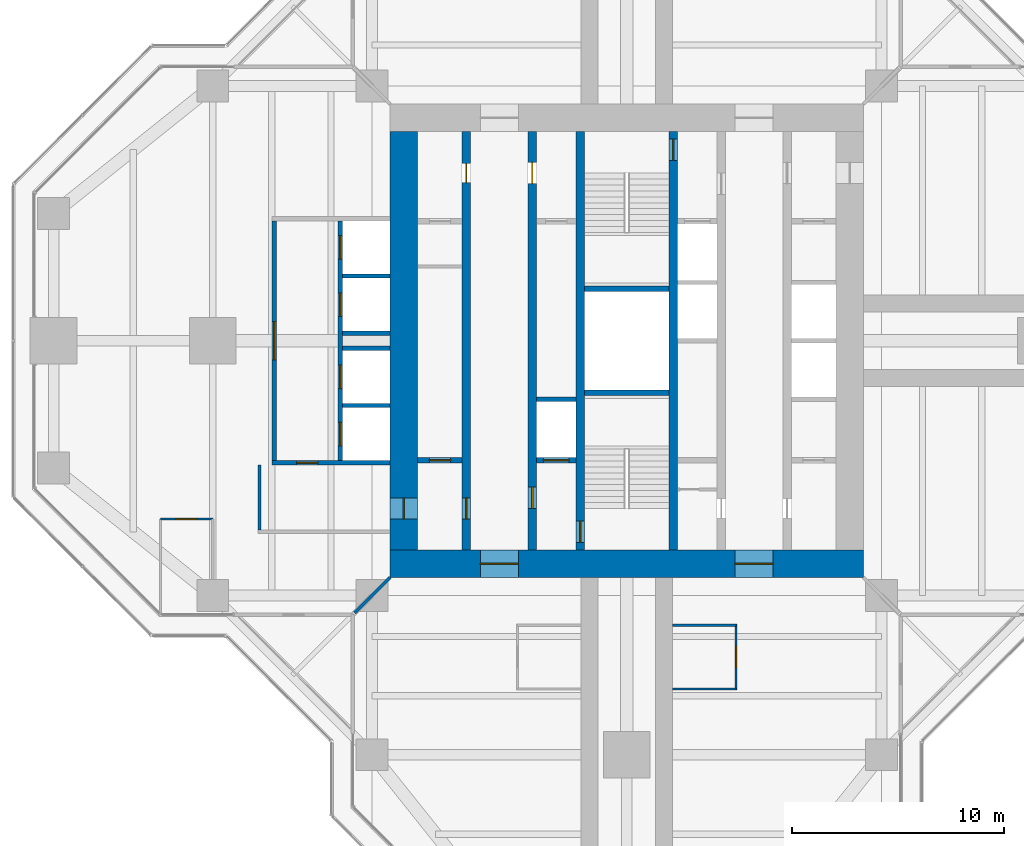
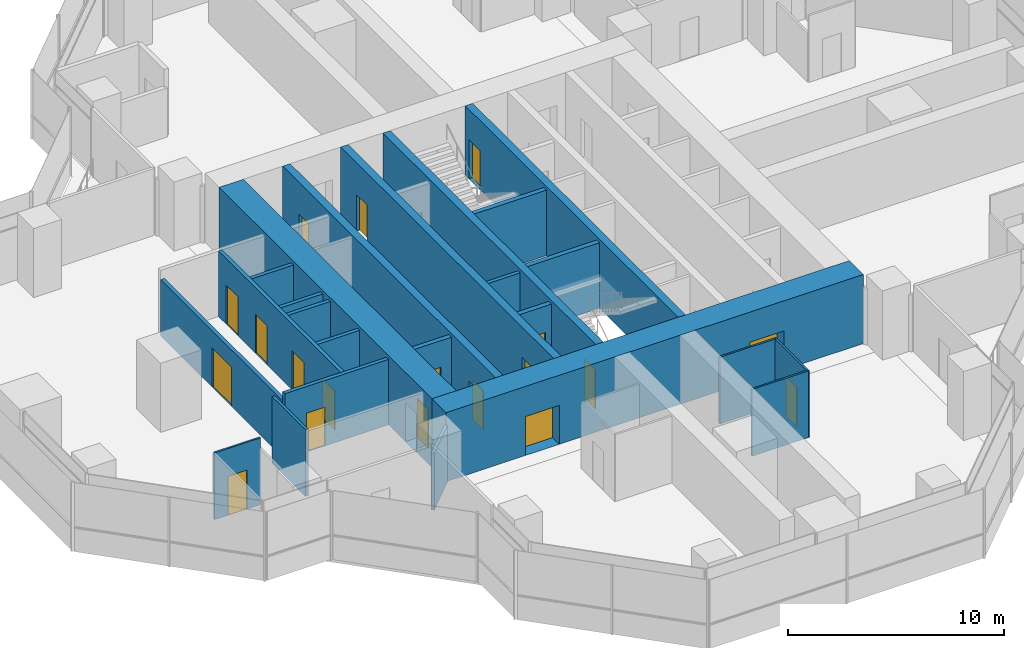
# One storey, part 13 of 17: 24 walls, 19 doors, 19 openings.
"""IFC4 building model written with IfcOpenShell, lengths in metres."""

from ifc_helpers import new_model, si_unit, direction, frame, frame_2d, origin, place, context, subcontext, project, spatial, rectangle, extrude, material, layer, layer_set, type_object, element, fill, save


model = new_model("IFC4")

# Units and contexts
model_context = context("Model", 3, precision=1e-05, world=origin(), true_north=direction((0.0, 1.0)))
body_context = subcontext(model_context, "Body", "Model", "MODEL_VIEW")
ifc_project = project(units=[si_unit("LENGTHUNIT", "METRE"), si_unit("AREAUNIT", "SQUARE_METRE"), si_unit("VOLUMEUNIT", "CUBIC_METRE"), si_unit("PLANEANGLEUNIT", "RADIAN"), si_unit("MASSUNIT", "GRAM", prefix="KILO")], contexts=[model_context])

# Site, building, storey
site_placement = place(None, origin())
site = spatial("IfcSite", under=ifc_project, at=site_placement, CompositionType="ELEMENT")
building_placement = place(site_placement, origin())
building = spatial("IfcBuilding", under=site, at=building_placement, Name="Mizan Broadcast Tower", CompositionType="ELEMENT")
storey_placement = place(building_placement, frame((0.0, 0.0, 251.699951171875)))
storey = spatial("IfcBuildingStorey", under=building, at=storey_placement, Name="L59", CompositionType="ELEMENT", Elevation=251.699951171875)

# Wall, openings, doors
ifc_material_1 = material(Name="Concrete C70/85", Category="concrete")
ifc_layer_1 = layer(ifc_material_1, 0.39990234375)
ifc_layer_set_1 = layer_set([ifc_layer_1], Name="Concrete C70/85")
wall_type_1 = type_object("IfcWallType", Name="CORE INTERNAL WALL 400", PredefinedType="SHEAR", material=ifc_layer_set_1)
wall_1_placement = place(storey_placement, frame((-7.550048828125, -9.85009765625, 0.0), z_axis=(0.0, 0.0, 1.0), x_axis=(0.0, 1.0, 0.0)))
wall_1 = element("IfcWall", 1, at=wall_1_placement, inside=storey, type_object=wall_type_1, Name="Core wall CORE/XW1", PredefinedType="SHEAR", context=body_context, shape_type="SweptSolid", body=[
    extrude(rectangle(XDim=19.7001953125, YDim=0.39990234375, at=frame_2d((9.85009765625, 0.0))), origin(), (0.0, 0.0, 1.0), 3.900146484375),
])
opening_1_placement = place(wall_1_placement, frame((1.449951171875, 0.0, 0.0)))
opening_1 = element("IfcOpeningElement", 2, at=opening_1_placement, cuts=wall_1, Name="Opening D10F", PredefinedType="OPENING", context=body_context, shape_type="SweptSolid", body=[
    extrude(rectangle(XDim=1.0, YDim=2.199951171875, at=frame_2d((0.5, 1.10009765625))), frame((0.0, 0.2099609375, 0.0), z_axis=(0.0, -1.0, 0.0), x_axis=(1.0, 0.0, 0.0)), (0.0, 0.0, 1.0), 0.419921875),
])
opening_2_placement = place(wall_1_placement, frame((17.300048828125, 0.0, 0.0)))
opening_2 = element("IfcOpeningElement", 3, at=opening_2_placement, cuts=wall_1, Name="Opening D09", PredefinedType="OPENING", context=body_context, shape_type="SweptSolid", body=[
    extrude(rectangle(XDim=0.89990234375, YDim=2.10009765625, at=frame_2d((0.449951171875, 1.050048828125))), frame((0.0, 0.2099609375, 0.0), z_axis=(0.0, -1.0, 0.0), x_axis=(1.0, 0.0, 0.0)), (0.0, 0.0, 1.0), 0.419921875),
])
ifc_material_2 = material(Name="Steel door leaf in steel frame", Category="steel")
door_type_1 = type_object("IfcDoorType", Name="FIRE DOOR 1000 FD90", OperationType="SINGLE_SWING_LEFT", PredefinedType="DOOR", material=ifc_material_2)
door_1_placement = place(opening_1_placement, origin())
door_1 = element("IfcDoor", 4, at=door_1_placement, inside=storey, type_object=door_type_1, Name="West core passage door", OperationType="SINGLE_SWING_LEFT", OverallHeight=2.199951171875, OverallWidth=1.0, PredefinedType="DOOR", context=body_context, shape_type="SweptSolid", body=[
    extrude(rectangle(XDim=1.0, YDim=2.199951171875, at=frame_2d((0.5, 1.10009765625))), frame((0.0, 0.02490234375, 0.0), z_axis=(0.0, -1.0, 0.0), x_axis=(1.0, 0.0, 0.0)), (0.0, 0.0, 1.0), 0.050048828125),
])
fill(opening_1, door_1)
ifc_material_3 = material(Name="Timber door leaf in aluminium frame", Category="wood")
door_type_2 = type_object("IfcDoorType", Name="TOILET DOOR 900", OperationType="SINGLE_SWING_LEFT", PredefinedType="DOOR", material=ifc_material_3)
door_2_placement = place(opening_2_placement, origin())
door_2 = element("IfcDoor", 5, at=door_2_placement, inside=storey, type_object=door_type_2, Name="Male WC door", OperationType="SINGLE_SWING_RIGHT", OverallHeight=2.10009765625, OverallWidth=0.89990234375, PredefinedType="DOOR", context=body_context, shape_type="SweptSolid", body=[
    extrude(rectangle(XDim=0.89990234375, YDim=2.10009765625, at=frame_2d((0.449951171875, 1.050048828125))), frame((0.0, 0.02490234375, 0.0), z_axis=(0.0, -1.0, 0.0), x_axis=(1.0, 0.0, 0.0)), (0.0, 0.0, 1.0), 0.050048828125),
])
fill(opening_2, door_2)

wall_2_placement = place(storey_placement, frame((-4.449951171875, -9.85009765625, 0.0), z_axis=(0.0, 0.0, 1.0), x_axis=(0.0, 1.0, 0.0)))
wall_2 = element("IfcWall", 6, at=wall_2_placement, inside=storey, type_object=wall_type_1, Name="Core wall CORE/XWH", PredefinedType="SHEAR", context=body_context, shape_type="SweptSolid", body=[
    extrude(rectangle(XDim=19.7001953125, YDim=0.39990234375, at=frame_2d((9.85009765625, 0.0))), origin(), (0.0, 0.0, 1.0), 3.900146484375),
])
opening_3_placement = place(wall_2_placement, frame((1.949951171875, 0.0, 0.0)))
opening_3 = element("IfcOpeningElement", 7, at=opening_3_placement, cuts=wall_2, Name="Opening D10F", PredefinedType="OPENING", context=body_context, shape_type="SweptSolid", body=[
    extrude(rectangle(XDim=1.0, YDim=2.199951171875, at=frame_2d((0.5, 1.10009765625))), frame((0.0, 0.2099609375, 0.0), z_axis=(0.0, -1.0, 0.0), x_axis=(1.0, 0.0, 0.0)), (0.0, 0.0, 1.0), 0.419921875),
])
opening_4_placement = place(wall_2_placement, frame((17.25, 0.0, 0.0)))
opening_4 = element("IfcOpeningElement", 8, at=opening_4_placement, cuts=wall_2, Name="Opening D10A", PredefinedType="OPENING", context=body_context, shape_type="SweptSolid", body=[
    extrude(rectangle(XDim=1.0, YDim=2.10009765625, at=frame_2d((0.5, 1.050048828125))), frame((0.0, 0.2099609375, 0.0), z_axis=(0.0, -1.0, 0.0), x_axis=(1.0, 0.0, 0.0)), (0.0, 0.0, 1.0), 0.419921875),
])
ifc_material_4 = material(Name="Timber door leaf in aluminium frame", Category="wood")
door_type_3 = type_object("IfcDoorType", Name="ACCESSIBLE WC DOOR 1000", OperationType="SLIDING_TO_LEFT", PredefinedType="DOOR", material=ifc_material_4)
door_3_placement = place(opening_4_placement, origin())
door_3 = element("IfcDoor", 9, at=door_3_placement, inside=storey, type_object=door_type_3, Name="Accessible WC door", OperationType="SLIDING_TO_LEFT", OverallHeight=2.10009765625, OverallWidth=1.0, PredefinedType="DOOR", context=body_context, shape_type="SweptSolid", body=[
    extrude(rectangle(XDim=1.0, YDim=2.10009765625, at=frame_2d((0.5, 1.050048828125))), frame((0.0, 0.02490234375, 0.0), z_axis=(0.0, -1.0, 0.0), x_axis=(1.0, 0.0, 0.0)), (0.0, 0.0, 1.0), 0.050048828125),
])
fill(opening_4, door_3)
door_4_placement = place(opening_3_placement, origin())
door_4 = element("IfcDoor", 10, at=door_4_placement, inside=storey, type_object=door_type_1, Name="Firefighting lobby A door", OperationType="SINGLE_SWING_LEFT", OverallHeight=2.199951171875, OverallWidth=1.0, PredefinedType="DOOR", context=body_context, shape_type="SweptSolid", body=[
    extrude(rectangle(XDim=1.0, YDim=2.199951171875, at=frame_2d((0.5, 1.10009765625))), frame((0.0, 0.02490234375, 0.0), z_axis=(0.0, -1.0, 0.0), x_axis=(1.0, 0.0, 0.0)), (0.0, 0.0, 1.0), 0.050048828125),
])
fill(opening_3, door_4)

# Wall, opening, door
wall_3_placement = place(storey_placement, frame((-2.199951171875, -9.85009765625, 0.0), z_axis=(0.0, 0.0, 1.0), x_axis=(0.0, 1.0, 0.0)))
wall_3 = element("IfcWall", 11, at=wall_3_placement, inside=storey, type_object=wall_type_1, Name="Core wall CORE/XW2", PredefinedType="SHEAR", context=body_context, shape_type="SweptSolid", body=[
    extrude(rectangle(XDim=19.7001953125, YDim=0.39990234375, at=frame_2d((9.85009765625, 0.0))), origin(), (0.0, 0.0, 1.0), 3.900146484375),
])
opening_5_placement = place(wall_3_placement, frame((0.35009765625, 0.0, 0.0)))
opening_5 = element("IfcOpeningElement", 12, at=opening_5_placement, cuts=wall_3, Name="Opening D10S", PredefinedType="OPENING", context=body_context, shape_type="SweptSolid", body=[
    extrude(rectangle(XDim=1.0, YDim=2.199951171875, at=frame_2d((0.5, 1.10009765625))), frame((0.0, 0.2099609375, 0.0), z_axis=(0.0, -1.0, 0.0), x_axis=(1.0, 0.0, 0.0)), (0.0, 0.0, 1.0), 0.419921875),
])
ifc_material_5 = material(Name="Steel door leaf in steel frame", Category="steel")
door_type_4 = type_object("IfcDoorType", Name="STAIR DOOR 1000 FD90S", OperationType="SINGLE_SWING_RIGHT", PredefinedType="DOOR", material=ifc_material_5)
door_5_placement = place(opening_5_placement, origin())
door_5 = element("IfcDoor", 13, at=door_5_placement, inside=storey, type_object=door_type_4, Name="Stair A door", OperationType="SINGLE_SWING_RIGHT", OverallHeight=2.199951171875, OverallWidth=1.0, PredefinedType="DOOR", context=body_context, shape_type="SweptSolid", body=[
    extrude(rectangle(XDim=1.0, YDim=2.199951171875, at=frame_2d((0.5, 1.10009765625))), frame((0.0, 0.02490234375, 0.0), z_axis=(0.0, -1.0, 0.0), x_axis=(1.0, 0.0, 0.0)), (0.0, 0.0, 1.0), 0.050048828125),
])
fill(opening_5, door_5)

wall_4_placement = place(storey_placement, frame((2.199951171875, 9.85009765625, 0.0), z_axis=(0.0, 0.0, 1.0), x_axis=(0.0, -1.0, 0.0)))
wall_4 = element("IfcWall", 14, at=wall_4_placement, inside=storey, type_object=wall_type_1, Name="Core wall CORE/XW2E", PredefinedType="SHEAR", context=body_context, shape_type="SweptSolid", body=[
    extrude(rectangle(XDim=19.7001953125, YDim=0.39990234375, at=frame_2d((9.85009765625, 0.0))), origin(), (0.0, 0.0, 1.0), 3.900146484375),
])
opening_6_placement = place(wall_4_placement, frame((0.35009765625, 0.0, 0.0)))
opening_6 = element("IfcOpeningElement", 15, at=opening_6_placement, cuts=wall_4, Name="Opening D10S", PredefinedType="OPENING", context=body_context, shape_type="SweptSolid", body=[
    extrude(rectangle(XDim=1.0, YDim=2.199951171875, at=frame_2d((0.5, 1.10009765625))), frame((0.0, 0.2099609375, 0.0), z_axis=(0.0, -1.0, 0.0), x_axis=(1.0, 0.0, 0.0)), (0.0, 0.0, 1.0), 0.419921875),
])
door_6_placement = place(opening_6_placement, origin())
door_6 = element("IfcDoor", 16, at=door_6_placement, inside=storey, type_object=door_type_4, Name="Stair B door", OperationType="SINGLE_SWING_RIGHT", OverallHeight=2.199951171875, OverallWidth=1.0, PredefinedType="DOOR", context=body_context, shape_type="SweptSolid", body=[
    extrude(rectangle(XDim=1.0, YDim=2.199951171875, at=frame_2d((0.5, 1.10009765625))), frame((0.0, 0.02490234375, 0.0), z_axis=(0.0, -1.0, 0.0), x_axis=(1.0, 0.0, 0.0)), (0.0, 0.0, 1.0), 0.050048828125),
])
fill(opening_6, door_6)

# Wall, openings, doors
ifc_material_6 = material(Name="Concrete C70/85", Category="concrete")
ifc_layer_2 = layer(ifc_material_6, 1.300048828125)
ifc_layer_set_2 = layer_set([ifc_layer_2], Name="Concrete C70/85")
wall_type_2 = type_object("IfcWallType", Name="CORE WALL 1300", PredefinedType="SHEAR", material=ifc_layer_set_2)
wall_5_placement = place(storey_placement, frame((11.14990234375, -10.5, 0.0), z_axis=(0.0, 0.0, 1.0), x_axis=(-1.0, 0.0, 0.0)))
wall_5 = element("IfcWall", 17, at=wall_5_placement, inside=storey, type_object=wall_type_2, Name="Core wall S L59", PredefinedType="SHEAR", context=body_context, shape_type="SweptSolid", body=[
    extrude(rectangle(XDim=22.2998046875, YDim=1.300048828125, at=frame_2d((11.14990234375, 0.0))), origin(), (0.0, 0.0, 1.0), 3.900146484375),
])
opening_7_placement = place(wall_5_placement, frame((16.25, 0.0, 0.0)))
opening_7 = element("IfcOpeningElement", 18, at=opening_7_placement, cuts=wall_5, Name="Opening D18F", PredefinedType="OPENING", context=body_context, shape_type="SweptSolid", body=[
    extrude(rectangle(XDim=1.800048828125, YDim=2.199951171875, at=frame_2d((0.89990234375, 1.10009765625))), frame((0.0, 0.659912109375, 0.0), z_axis=(0.0, -1.0, 0.0), x_axis=(1.0, 0.0, 0.0)), (0.0, 0.0, 1.0), 1.320068359375),
])
opening_8_placement = place(wall_5_placement, frame((4.25, 0.0, 0.0)))
opening_8 = element("IfcOpeningElement", 19, at=opening_8_placement, cuts=wall_5, Name="Opening D18F", PredefinedType="OPENING", context=body_context, shape_type="SweptSolid", body=[
    extrude(rectangle(XDim=1.800048828125, YDim=2.199951171875, at=frame_2d((0.89990234375, 1.10009765625))), frame((0.0, 0.659912109375, 0.0), z_axis=(0.0, -1.0, 0.0), x_axis=(1.0, 0.0, 0.0)), (0.0, 0.0, 1.0), 1.320068359375),
])
ifc_material_7 = material(Name="Steel door leaf in steel frame", Category="steel")
door_type_5 = type_object("IfcDoorType", Name="LOBBY DOUBLE DOOR 1800 FD90", OperationType="DOUBLE_DOOR_DOUBLE_SWING", PredefinedType="DOOR", material=ifc_material_7)
door_7_placement = place(opening_7_placement, origin())
door_7 = element("IfcDoor", 20, at=door_7_placement, inside=storey, type_object=door_type_5, Name="West lift lobby south door", OperationType="DOUBLE_DOOR_DOUBLE_SWING", OverallHeight=2.199951171875, OverallWidth=1.800048828125, PredefinedType="DOOR", context=body_context, shape_type="SweptSolid", body=[
    extrude(rectangle(XDim=1.800048828125, YDim=2.199951171875, at=frame_2d((0.89990234375, 1.10009765625))), frame((0.0, 0.02490234375, 0.0), z_axis=(0.0, -1.0, 0.0), x_axis=(1.0, 0.0, 0.0)), (0.0, 0.0, 1.0), 0.050048828125),
])
fill(opening_7, door_7)
door_8_placement = place(opening_8_placement, origin())
door_8 = element("IfcDoor", 21, at=door_8_placement, inside=storey, type_object=door_type_5, Name="East lift lobby south door", OperationType="DOUBLE_DOOR_DOUBLE_SWING", OverallHeight=2.199951171875, OverallWidth=1.800048828125, PredefinedType="DOOR", context=body_context, shape_type="SweptSolid", body=[
    extrude(rectangle(XDim=1.800048828125, YDim=2.199951171875, at=frame_2d((0.89990234375, 1.10009765625))), frame((0.0, 0.02490234375, 0.0), z_axis=(0.0, -1.0, 0.0), x_axis=(1.0, 0.0, 0.0)), (0.0, 0.0, 1.0), 0.050048828125),
])
fill(opening_8, door_8)

# Wall, opening, door
wall_6_placement = place(storey_placement, frame((-10.5, 9.85009765625, 0.0), z_axis=(0.0, 0.0, 1.0), x_axis=(0.0, -1.0, 0.0)))
wall_6 = element("IfcWall", 22, at=wall_6_placement, inside=storey, type_object=wall_type_2, Name="Core wall W L59", PredefinedType="SHEAR", context=body_context, shape_type="SweptSolid", body=[
    extrude(rectangle(XDim=19.7001953125, YDim=1.300048828125, at=frame_2d((9.85009765625, 0.0))), origin(), (0.0, 0.0, 1.0), 3.900146484375),
])
opening_9_placement = place(wall_6_placement, frame((17.25, 0.0, 0.0)))
opening_9 = element("IfcOpeningElement", 23, at=opening_9_placement, cuts=wall_6, Name="Opening D10F", PredefinedType="OPENING", context=body_context, shape_type="SweptSolid", body=[
    extrude(rectangle(XDim=1.0, YDim=2.199951171875, at=frame_2d((0.5, 1.10009765625))), frame((0.0, 0.659912109375, 0.0), z_axis=(0.0, -1.0, 0.0), x_axis=(1.0, 0.0, 0.0)), (0.0, 0.0, 1.0), 1.320068359375),
])
door_9_placement = place(opening_9_placement, origin())
door_9 = element("IfcDoor", 24, at=door_9_placement, inside=storey, type_object=door_type_1, Name="West core passage arm door", OperationType="SINGLE_SWING_RIGHT", OverallHeight=2.199951171875, OverallWidth=1.0, PredefinedType="DOOR", context=body_context, shape_type="SweptSolid", body=[
    extrude(rectangle(XDim=1.0, YDim=2.199951171875, at=frame_2d((0.5, 1.10009765625))), frame((0.0, 0.02490234375, 0.0), z_axis=(0.0, -1.0, 0.0), x_axis=(1.0, 0.0, 0.0)), (0.0, 0.0, 1.0), 0.050048828125),
])
fill(opening_9, door_9)

# Wall
ifc_material_8 = material(Name="Concrete blockwork", Category="masonry")
ifc_layer_3 = layer(ifc_material_8, 0.199951171875)
ifc_layer_set_3 = layer_set([ifc_layer_3], Name="Concrete blockwork")
wall_type_3 = type_object("IfcWallType", Name="LIFT SHAFT WALL 200", PredefinedType="SOLIDWALL", material=ifc_layer_set_3)
wall_7_placement = place(storey_placement, frame((-4.25, -2.75, 0.0), z_axis=(0.0, 0.0, 1.0), x_axis=(1.0, 0.0, 0.0)))
element("IfcWall", 25, at=wall_7_placement, inside=storey, type_object=wall_type_3, Name="Lift shaft wall CORE/SW2-1", PredefinedType="SOLIDWALL", context=body_context, shape_type="SweptSolid", body=[
    extrude(rectangle(XDim=1.85009765625, YDim=0.199951171875, at=frame_2d((0.925048828125, 0.0))), origin(), (0.0, 0.0, 1.0), 3.699951171875),
])

# Wall, openings, doors
wall_8_placement = place(storey_placement, frame((-13.5, 5.64990234375, 0.0), z_axis=(0.0, 0.0, 1.0), x_axis=(0.0, -1.0, 0.0)))
wall_8 = element("IfcWall", 26, at=wall_8_placement, inside=storey, type_object=wall_type_3, Name="Lift shaft wall LC/F", PredefinedType="SOLIDWALL", context=body_context, shape_type="SweptSolid", body=[
    extrude(rectangle(XDim=11.2998046875, YDim=0.199951171875, at=frame_2d((5.64990234375, 0.0))), origin(), (0.0, 0.0, 1.0), 3.699951171875),
])
opening_10_placement = place(wall_8_placement, frame((0.699951171875, 0.0, 0.0)))
opening_10 = element("IfcOpeningElement", 27, at=opening_10_placement, cuts=wall_8, Name="Opening LD", PredefinedType="OPENING", context=body_context, shape_type="SweptSolid", body=[
    extrude(rectangle(XDim=1.10009765625, YDim=2.199951171875, at=frame_2d((0.550048828125, 1.10009765625))), frame((0.0, 0.10986328125, 0.0), z_axis=(0.0, -1.0, 0.0), x_axis=(1.0, 0.0, 0.0)), (0.0, 0.0, 1.0), 0.219970703125),
])
opening_11_placement = place(wall_8_placement, frame((3.39990234375, 0.0, 0.0)))
opening_11 = element("IfcOpeningElement", 28, at=opening_11_placement, cuts=wall_8, Name="Opening LD", PredefinedType="OPENING", context=body_context, shape_type="SweptSolid", body=[
    extrude(rectangle(XDim=1.10009765625, YDim=2.199951171875, at=frame_2d((0.550048828125, 1.10009765625))), frame((0.0, 0.10986328125, 0.0), z_axis=(0.0, -1.0, 0.0), x_axis=(1.0, 0.0, 0.0)), (0.0, 0.0, 1.0), 0.219970703125),
])
opening_12_placement = place(wall_8_placement, frame((6.800048828125, 0.0, 0.0)))
opening_12 = element("IfcOpeningElement", 29, at=opening_12_placement, cuts=wall_8, Name="Opening LD", PredefinedType="OPENING", context=body_context, shape_type="SweptSolid", body=[
    extrude(rectangle(XDim=1.10009765625, YDim=2.199951171875, at=frame_2d((0.550048828125, 1.10009765625))), frame((0.0, 0.10986328125, 0.0), z_axis=(0.0, -1.0, 0.0), x_axis=(1.0, 0.0, 0.0)), (0.0, 0.0, 1.0), 0.219970703125),
])
opening_13_placement = place(wall_8_placement, frame((9.5, 0.0, 0.0)))
opening_13 = element("IfcOpeningElement", 30, at=opening_13_placement, cuts=wall_8, Name="Opening LD", PredefinedType="OPENING", context=body_context, shape_type="SweptSolid", body=[
    extrude(rectangle(XDim=1.10009765625, YDim=2.199951171875, at=frame_2d((0.550048828125, 1.10009765625))), frame((0.0, 0.10986328125, 0.0), z_axis=(0.0, -1.0, 0.0), x_axis=(1.0, 0.0, 0.0)), (0.0, 0.0, 1.0), 0.219970703125),
])
ifc_material_9 = material(Name="Steel door leaf in steel frame", Category="steel")
door_type_6 = type_object("IfcDoorType", Name="LIFT LANDING DOOR 1100", OperationType="SLIDING_TO_LEFT", PredefinedType="DOOR", material=ifc_material_9)
door_10_placement = place(opening_10_placement, origin())
door_10 = element("IfcDoor", 31, at=door_10_placement, inside=storey, type_object=door_type_6, Name="Landing door LC1", OperationType="SLIDING_TO_LEFT", OverallHeight=2.199951171875, OverallWidth=1.10009765625, PredefinedType="DOOR", context=body_context, shape_type="SweptSolid", body=[
    extrude(rectangle(XDim=1.10009765625, YDim=2.199951171875, at=frame_2d((0.550048828125, 1.10009765625))), frame((0.0, 0.02490234375, 0.0), z_axis=(0.0, -1.0, 0.0), x_axis=(1.0, 0.0, 0.0)), (0.0, 0.0, 1.0), 0.050048828125),
])
fill(opening_10, door_10)
door_11_placement = place(opening_11_placement, origin())
door_11 = element("IfcDoor", 32, at=door_11_placement, inside=storey, type_object=door_type_6, Name="Landing door LC2", OperationType="SLIDING_TO_LEFT", OverallHeight=2.199951171875, OverallWidth=1.10009765625, PredefinedType="DOOR", context=body_context, shape_type="SweptSolid", body=[
    extrude(rectangle(XDim=1.10009765625, YDim=2.199951171875, at=frame_2d((0.550048828125, 1.10009765625))), frame((0.0, 0.02490234375, 0.0), z_axis=(0.0, -1.0, 0.0), x_axis=(1.0, 0.0, 0.0)), (0.0, 0.0, 1.0), 0.050048828125),
])
fill(opening_11, door_11)
door_12_placement = place(opening_12_placement, origin())
door_12 = element("IfcDoor", 33, at=door_12_placement, inside=storey, type_object=door_type_6, Name="Landing door LC3", OperationType="SLIDING_TO_LEFT", OverallHeight=2.199951171875, OverallWidth=1.10009765625, PredefinedType="DOOR", context=body_context, shape_type="SweptSolid", body=[
    extrude(rectangle(XDim=1.10009765625, YDim=2.199951171875, at=frame_2d((0.550048828125, 1.10009765625))), frame((0.0, 0.02490234375, 0.0), z_axis=(0.0, -1.0, 0.0), x_axis=(1.0, 0.0, 0.0)), (0.0, 0.0, 1.0), 0.050048828125),
])
fill(opening_12, door_12)
door_13_placement = place(opening_13_placement, origin())
door_13 = element("IfcDoor", 34, at=door_13_placement, inside=storey, type_object=door_type_6, Name="Landing door LC4", OperationType="SLIDING_TO_LEFT", OverallHeight=2.199951171875, OverallWidth=1.10009765625, PredefinedType="DOOR", context=body_context, shape_type="SweptSolid", body=[
    extrude(rectangle(XDim=1.10009765625, YDim=2.199951171875, at=frame_2d((0.550048828125, 1.10009765625))), frame((0.0, 0.02490234375, 0.0), z_axis=(0.0, -1.0, 0.0), x_axis=(1.0, 0.0, 0.0)), (0.0, 0.0, 1.0), 0.050048828125),
])
fill(opening_13, door_13)

# Wall, opening, door
wall_9_placement = place(storey_placement, frame((-11.14990234375, -5.75, 0.0), z_axis=(0.0, 0.0, 1.0), x_axis=(-1.0, 0.0, 0.0)))
wall_9 = element("IfcWall", 35, at=wall_9_placement, inside=storey, type_object=wall_type_3, Name="Lift shaft wall LC/S2", PredefinedType="SOLIDWALL", context=body_context, shape_type="SweptSolid", body=[
    extrude(rectangle(XDim=5.550048828125, YDim=0.199951171875, at=frame_2d((2.77490234375, 0.0))), origin(), (0.0, 0.0, 1.0), 3.699951171875),
])
opening_14_placement = place(wall_9_placement, frame((3.39990234375, 0.0, 0.0)))
opening_14 = element("IfcOpeningElement", 36, at=opening_14_placement, cuts=wall_9, Name="Opening D10F", PredefinedType="OPENING", context=body_context, shape_type="SweptSolid", body=[
    extrude(rectangle(XDim=1.0, YDim=2.199951171875, at=frame_2d((0.5, 1.10009765625))), frame((0.0, 0.10986328125, 0.0), z_axis=(0.0, -1.0, 0.0), x_axis=(1.0, 0.0, 0.0)), (0.0, 0.0, 1.0), 0.219970703125),
])
door_14_placement = place(opening_14_placement, origin())
door_14 = element("IfcDoor", 37, at=door_14_placement, inside=storey, type_object=door_type_1, Name="High-rise lobby corridor door", OperationType="SINGLE_SWING_RIGHT", OverallHeight=2.199951171875, OverallWidth=1.0, PredefinedType="DOOR", context=body_context, shape_type="SweptSolid", body=[
    extrude(rectangle(XDim=1.0, YDim=2.199951171875, at=frame_2d((0.5, 1.10009765625))), frame((0.0, 0.02490234375, 0.0), z_axis=(0.0, -1.0, 0.0), x_axis=(1.0, 0.0, 0.0)), (0.0, 0.0, 1.0), 0.050048828125),
])
fill(opening_14, door_14)

# Walls
for number, where, z_axis, x_axis, name in (
    (38, (-11.14990234375, 3.050048828125, 0.0), (0.0, 0.0, 1.0), (-1.0, 0.0, 0.0), "Lift shaft wall LC/SP1"),
    (39, (-11.14990234375, 0.35009765625, 0.0), (0.0, 0.0, 1.0), (-1.0, 0.0, 0.0), "Lift shaft wall LC/SP2"),
    (40, (-11.14990234375, -0.35009765625, 0.0), (0.0, 0.0, 1.0), (-1.0, 0.0, 0.0), "Lift shaft wall LC/SP3"),
    (41, (-11.14990234375, -3.050048828125, 0.0), (0.0, 0.0, 1.0), (-1.0, 0.0, 0.0), "Lift shaft wall LC/SP4"),
):
    element("IfcWall", number, at=place(storey_placement, frame(where, z_axis=z_axis, x_axis=x_axis)), inside=storey, type_object=wall_type_3, Name=name, PredefinedType="SOLIDWALL", context=body_context, shape_type="SweptSolid", body=[
        extrude(rectangle(XDim=2.25, YDim=0.199951171875, at=frame_2d((1.125, 0.0))), origin(), (0.0, 0.0, 1.0), 3.699951171875),
    ])

# Wall, opening, door
ifc_material_10 = material(Name="Concrete blockwork", Category="masonry")
ifc_layer_4 = layer(ifc_material_10, 0.25)
ifc_layer_set_4 = layer_set([ifc_layer_4], Name="Concrete blockwork")
wall_type_4 = type_object("IfcWallType", Name="LOBBY ENCLOSURE WALL 250", PredefinedType="SOLIDWALL", material=ifc_layer_set_4)
wall_10_placement = place(storey_placement, frame((-9.85009765625, -5.625, 0.0), z_axis=(0.0, 0.0, 1.0), x_axis=(1.0, 0.0, 0.0)))
wall_10 = element("IfcWall", 42, at=wall_10_placement, inside=storey, type_object=wall_type_4, Name="Lobby enclosure wall CORE/BW1S", PredefinedType="SOLIDWALL", context=body_context, shape_type="SweptSolid", body=[
    extrude(rectangle(XDim=2.10009765625, YDim=0.25, at=frame_2d((1.050048828125, 0.0))), origin(), (0.0, 0.0, 1.0), 3.699951171875),
])
opening_15_placement = place(wall_10_placement, frame((0.550048828125, 0.0, 0.0)))
opening_15 = element("IfcOpeningElement", 43, at=opening_15_placement, cuts=wall_10, Name="Opening D10F", PredefinedType="OPENING", context=body_context, shape_type="SweptSolid", body=[
    extrude(rectangle(XDim=1.0, YDim=2.199951171875, at=frame_2d((0.5, 1.10009765625))), frame((0.0, 0.135009765625, 0.0), z_axis=(0.0, -1.0, 0.0), x_axis=(1.0, 0.0, 0.0)), (0.0, 0.0, 1.0), 0.27001953125),
])
door_15_placement = place(opening_15_placement, origin())
door_15 = element("IfcDoor", 44, at=door_15_placement, inside=storey, type_object=door_type_1, Name="Staff pantry door", OperationType="SINGLE_SWING_RIGHT", OverallHeight=2.199951171875, OverallWidth=1.0, PredefinedType="DOOR", context=body_context, shape_type="SweptSolid", body=[
    extrude(rectangle(XDim=1.0, YDim=2.199951171875, at=frame_2d((0.5, 1.10009765625))), frame((0.0, 0.02490234375, 0.0), z_axis=(0.0, -1.0, 0.0), x_axis=(1.0, 0.0, 0.0)), (0.0, 0.0, 1.0), 0.050048828125),
])
fill(opening_15, door_15)

wall_11_placement = place(storey_placement, frame((-4.25, -5.625, 0.0), z_axis=(0.0, 0.0, 1.0), x_axis=(1.0, 0.0, 0.0)))
wall_11 = element("IfcWall", 45, at=wall_11_placement, inside=storey, type_object=wall_type_4, Name="Lobby enclosure wall CORE/BW2S", PredefinedType="SOLIDWALL", context=body_context, shape_type="SweptSolid", body=[
    extrude(rectangle(XDim=1.85009765625, YDim=0.25, at=frame_2d((0.925048828125, 0.0))), origin(), (0.0, 0.0, 1.0), 3.699951171875),
])
opening_16_placement = place(wall_11_placement, frame((0.324951171875, 0.0, 0.0)))
opening_16 = element("IfcOpeningElement", 46, at=opening_16_placement, cuts=wall_11, Name="Opening LDF", PredefinedType="OPENING", context=body_context, shape_type="SweptSolid", body=[
    extrude(rectangle(XDim=1.199951171875, YDim=2.199951171875, at=frame_2d((0.60009765625, 1.10009765625))), frame((0.0, 0.135009765625, 0.0), z_axis=(0.0, -1.0, 0.0), x_axis=(1.0, 0.0, 0.0)), (0.0, 0.0, 1.0), 0.27001953125),
])
ifc_material_11 = material(Name="Steel door leaf in steel frame", Category="steel")
door_type_7 = type_object("IfcDoorType", Name="FIREFIGHTING LIFT LANDING DOOR 1200", OperationType="SLIDING_TO_LEFT", PredefinedType="DOOR", material=ifc_material_11)
door_16_placement = place(opening_16_placement, origin())
door_16 = element("IfcDoor", 47, at=door_16_placement, inside=storey, type_object=door_type_7, Name="Landing door FF1", OperationType="SLIDING_TO_LEFT", OverallHeight=2.199951171875, OverallWidth=1.199951171875, PredefinedType="DOOR", context=body_context, shape_type="SweptSolid", body=[
    extrude(rectangle(XDim=1.199951171875, YDim=2.199951171875, at=frame_2d((0.60009765625, 1.10009765625))), frame((0.0, 0.02490234375, 0.0), z_axis=(0.0, -1.0, 0.0), x_axis=(1.0, 0.0, 0.0)), (0.0, 0.0, 1.0), 0.050048828125),
])
fill(opening_16, door_16)

# Walls
for number, where, z_axis, x_axis, name in (
    (48, (-2.0, -2.449951171875, 0.0), (0.0, 0.0, 1.0), (1.0, 0.0, 0.0), "Lobby enclosure wall CORE/STA"),
    (49, (-2.0, 2.449951171875, 0.0), (0.0, 0.0, 1.0), (1.0, 0.0, 0.0), "Lobby enclosure wall CORE/STB"),
):
    element("IfcWall", number, at=place(storey_placement, frame(where, z_axis=z_axis, x_axis=x_axis)), inside=storey, type_object=wall_type_4, Name=name, PredefinedType="SOLIDWALL", context=body_context, shape_type="SweptSolid", body=[
        extrude(rectangle(XDim=4.0, YDim=0.25, at=frame_2d((2.0, 0.0))), origin(), (0.0, 0.0, 1.0), 3.699951171875),
    ])

# Wall, opening, door
wall_12_placement = place(storey_placement, frame((-16.60009765625, 5.64990234375, 0.0), z_axis=(0.0, 0.0, 1.0), x_axis=(0.0, -1.0, 0.0)))
wall_12 = element("IfcWall", 50, at=wall_12_placement, inside=storey, type_object=wall_type_4, Name="Lobby enclosure wall LC/LF", PredefinedType="SOLIDWALL", context=body_context, shape_type="SweptSolid", body=[
    extrude(rectangle(XDim=11.2998046875, YDim=0.199951171875, at=frame_2d((5.64990234375, 0.0))), origin(), (0.0, 0.0, 1.0), 3.179931640625),
])
opening_17_placement = place(wall_12_placement, frame((4.75, 0.0, 0.0)))
opening_17 = element("IfcOpeningElement", 51, at=opening_17_placement, cuts=wall_12, Name="Opening D18F", PredefinedType="OPENING", context=body_context, shape_type="SweptSolid", body=[
    extrude(rectangle(XDim=1.800048828125, YDim=2.199951171875, at=frame_2d((0.89990234375, 1.10009765625))), frame((0.0, 0.10986328125, 0.0), z_axis=(0.0, -1.0, 0.0), x_axis=(1.0, 0.0, 0.0)), (0.0, 0.0, 1.0), 0.219970703125),
])
door_17_placement = place(opening_17_placement, origin())
door_17 = element("IfcDoor", 52, at=door_17_placement, inside=storey, type_object=door_type_5, Name="High-rise lift lobby door", OperationType="DOUBLE_DOOR_DOUBLE_SWING", OverallHeight=2.199951171875, OverallWidth=1.800048828125, PredefinedType="DOOR", context=body_context, shape_type="SweptSolid", body=[
    extrude(rectangle(XDim=1.800048828125, YDim=2.199951171875, at=frame_2d((0.89990234375, 1.10009765625))), frame((0.0, 0.02490234375, 0.0), z_axis=(0.0, -1.0, 0.0), x_axis=(1.0, 0.0, 0.0)), (0.0, 0.0, 1.0), 0.050048828125),
])
fill(opening_17, door_17)

# Walls
ifc_material_12 = material(Name="Gypsum board on steel studs", Category="steel")
ifc_layer_5 = layer(ifc_material_12, 0.14990234375)
ifc_layer_set_5 = layer_set([ifc_layer_5], Name="Gypsum board on steel studs")
wall_type_5 = type_object("IfcWallType", Name="PARTITION 150", PredefinedType="PARTITIONING", material=ifc_layer_set_5)
wall_13_placement = place(storey_placement, frame((-11.14990234375, -11.14990234375, 0.0), z_axis=(0.0, 0.0, 1.0), x_axis=(-0.707106781187, -0.707106781187, 0.0)))
element("IfcWall", 53, at=wall_13_placement, inside=storey, type_object=wall_type_5, Name="Partition PT/DGWS", PredefinedType="PARTITIONING", context=body_context, shape_type="SweptSolid", body=[
    extrude(rectangle(XDim=2.362060546875, YDim=0.14990234375, at=frame_2d((1.18115234375, 0.0))), origin(), (0.0, 0.0, 1.0), 3.219970703125),
])
wall_14_placement = place(storey_placement, frame((-17.300048828125, -5.85009765625, 0.0), z_axis=(0.0, 0.0, 1.0), x_axis=(0.0, -1.0, 0.0)))
element("IfcWall", 54, at=wall_14_placement, inside=storey, type_object=wall_type_5, Name="Partition PT/LCC2", PredefinedType="PARTITIONING", context=body_context, shape_type="SweptSolid", body=[
    extrude(rectangle(XDim=3.074951171875, YDim=0.14990234375, at=frame_2d((1.53759765625, 0.0))), origin(), (0.0, 0.0, 1.0), 3.77001953125),
])

# Wall, opening, door
ifc_material_13 = material(Name="Glazed aluminium partition on aluminium track", Category="aluminium")
ifc_layer_6 = layer(ifc_material_13, 0.10009765625)
ifc_layer_set_6 = layer_set([ifc_layer_6], Name="Glazed aluminium partition on aluminium track")
wall_type_6 = type_object("IfcWallType", Name="PARTITION GLAZED OFFICE FRONT 100", PredefinedType="PARTITIONING", material=ifc_layer_set_6)
wall_15_placement = place(storey_placement, frame((-19.5, -8.39990234375, 0.0), z_axis=(0.0, 0.0, 1.0), x_axis=(-1.0, 0.0, 0.0)))
wall_15 = element("IfcWall", 55, at=wall_15_placement, inside=storey, type_object=wall_type_6, Name="Glazed office front PT/WCP0", PredefinedType="PARTITIONING", context=body_context, shape_type="SweptSolid", body=[
    extrude(rectangle(XDim=2.458984375, YDim=0.10009765625, at=frame_2d((1.2294921875, 0.0))), origin(), (0.0, 0.0, 1.0), 3.77001953125),
])
opening_18_placement = place(wall_15_placement, frame((0.7294921875, 0.0, 0.0)))
opening_18 = element("IfcOpeningElement", 56, at=opening_18_placement, cuts=wall_15, Name="Opening D10O", PredefinedType="OPENING", context=body_context, shape_type="SweptSolid", body=[
    extrude(rectangle(XDim=1.0, YDim=2.199951171875, at=frame_2d((0.5, 1.10009765625))), frame((0.0, 0.06005859375, 0.0), z_axis=(0.0, -1.0, 0.0), x_axis=(1.0, 0.0, 0.0)), (0.0, 0.0, 1.0), 0.1201171875),
])
ifc_material_14 = material(Name="Timber door leaf in aluminium frame", Category="wood")
door_type_8 = type_object("IfcDoorType", Name="OFFICE DOOR 1000 GLAZED", OperationType="SINGLE_SWING_LEFT", PredefinedType="DOOR", material=ifc_material_14)
door_18_placement = place(opening_18_placement, origin())
door_18 = element("IfcDoor", 57, at=door_18_placement, inside=storey, type_object=door_type_8, Name="Preview cinema door", OperationType="SINGLE_SWING_LEFT", OverallHeight=2.199951171875, OverallWidth=1.0, PredefinedType="DOOR", context=body_context, shape_type="SweptSolid", body=[
    extrude(rectangle(XDim=1.0, YDim=2.199951171875, at=frame_2d((0.5, 1.10009765625))), frame((0.0, 0.02490234375, 0.0), z_axis=(0.0, -1.0, 0.0), x_axis=(1.0, 0.0, 0.0)), (0.0, 0.0, 1.0), 0.050048828125),
])
fill(opening_18, door_18)

# Walls
for number, where, z_axis, x_axis, name in (
    (58, (2.14990234375, -13.39990234375, 0.0), (0.0, 0.0, 1.0), (1.0, 0.0, 0.0), "Glazed office front PT/SKP0a"),
    (59, (2.14990234375, -16.39990234375, 0.0), (0.0, 0.0, 1.0), (1.0, 0.0, 0.0), "Glazed office front PT/SKP0b"),
):
    element("IfcWall", number, at=place(storey_placement, frame(where, z_axis=z_axis, x_axis=x_axis)), inside=storey, type_object=wall_type_6, Name=name, PredefinedType="PARTITIONING", context=body_context, shape_type="SweptSolid", body=[
        extrude(rectangle(XDim=3.0, YDim=0.10009765625, at=frame_2d((1.5, 0.0))), origin(), (0.0, 0.0, 1.0), 3.77001953125),
    ])

# Wall, opening, door
wall_16_placement = place(storey_placement, frame((5.14990234375, -13.35009765625, 0.0), z_axis=(0.0, 0.0, 1.0), x_axis=(0.0, -1.0, 0.0)))
wall_16 = element("IfcWall", 60, at=wall_16_placement, inside=storey, type_object=wall_type_6, Name="Glazed office front PT/SKP0f", PredefinedType="PARTITIONING", context=body_context, shape_type="SweptSolid", body=[
    extrude(rectangle(XDim=3.099853515625, YDim=0.10009765625, at=frame_2d((1.5498046875, 0.0))), origin(), (0.0, 0.0, 1.0), 3.77001953125),
])
opening_19_placement = place(wall_16_placement, frame((1.050048828125, 0.0, 0.0)))
opening_19 = element("IfcOpeningElement", 61, at=opening_19_placement, cuts=wall_16, Name="Opening D10O", PredefinedType="OPENING", context=body_context, shape_type="SweptSolid", body=[
    extrude(rectangle(XDim=1.0, YDim=2.199951171875, at=frame_2d((0.5, 1.10009765625))), frame((0.0, 0.06005859375, 0.0), z_axis=(0.0, -1.0, 0.0), x_axis=(1.0, 0.0, 0.0)), (0.0, 0.0, 1.0), 0.1201171875),
])
door_19_placement = place(opening_19_placement, origin())
door_19 = element("IfcDoor", 62, at=door_19_placement, inside=storey, type_object=door_type_8, Name="Pantry door", OperationType="SINGLE_SWING_LEFT", OverallHeight=2.199951171875, OverallWidth=1.0, PredefinedType="DOOR", context=body_context, shape_type="SweptSolid", body=[
    extrude(rectangle(XDim=1.0, YDim=2.199951171875, at=frame_2d((0.5, 1.10009765625))), frame((0.0, 0.02490234375, 0.0), z_axis=(0.0, -1.0, 0.0), x_axis=(1.0, 0.0, 0.0)), (0.0, 0.0, 1.0), 0.050048828125),
])
fill(opening_19, door_19)

save(model, "model.ifc")
